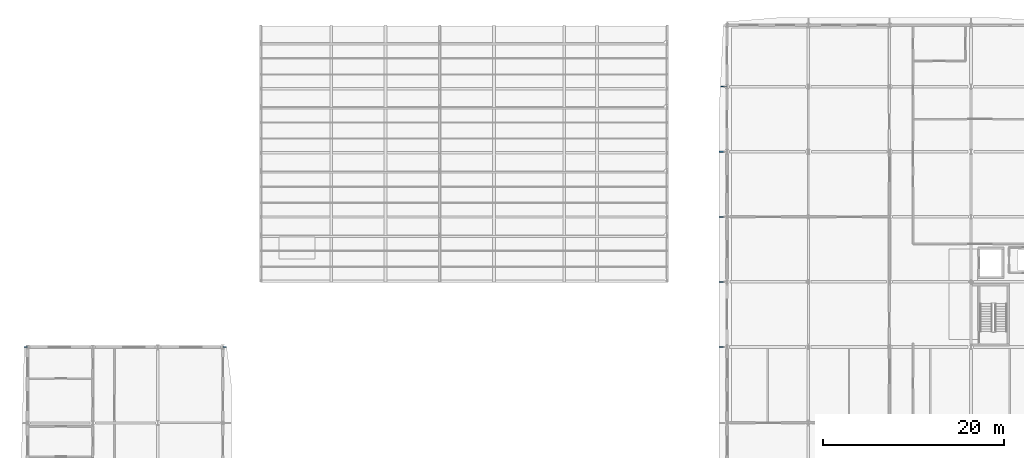
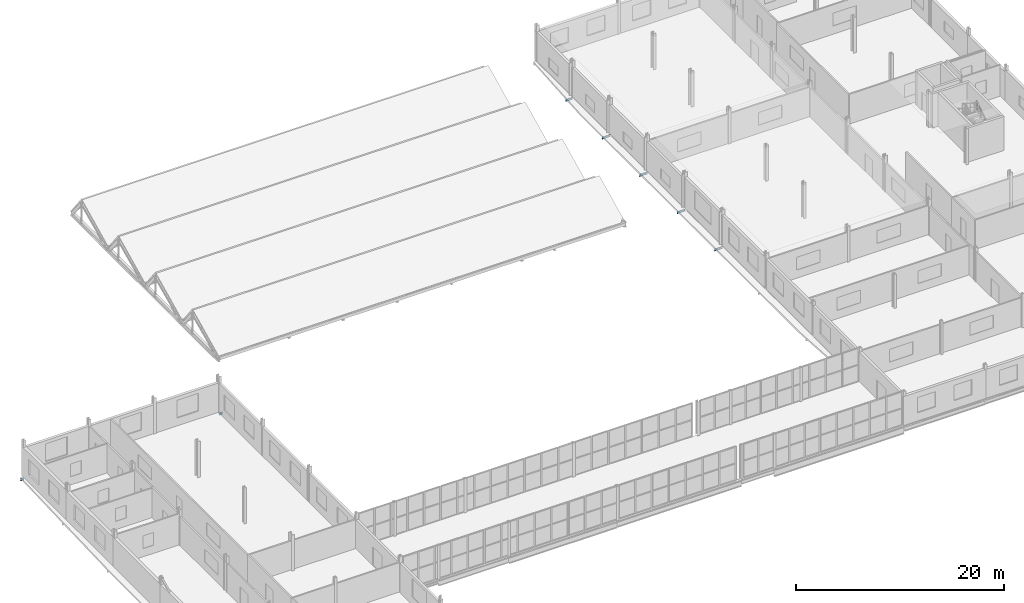
# One storey, part 93 of 138: 7 beams.
"""IFC4 building model written with IfcOpenShell, lengths in metres."""

import ifcopenshell
import ifcopenshell.guid

model = None  # the IFC model being written
_history = None  # IfcOwnerHistory: only IFC2X3 demands one
_inside = {}  # id of a spatial element -> (the spatial element, [elements in it])
_under = {}  # id of a project, library or spatial element -> (it, [spatial elements below it])
_declared = {}  # id of a project -> (the project, [libraries it declares])
_typed = {}  # id of a type object -> (the type object, [elements of that type])
_made_of = {}  # id of a material, layer set ... -> (it, [elements and type objects made of it])


def new_model(schema):
    """Start an empty IFC model of exactly this schema.

    Asked for "IFC4X3", IfcOpenShell would pick the latest addendum, in which some entities
    have other attributes; the version numbers below select the first issue.
    IFC2X3 requires an IfcOwnerHistory on every rooted entity: one is made here for all.
    """
    global model, _history
    if schema == "IFC4X3":
        model = ifcopenshell.file(schema_version=(4, 3, 0, 0))
    else:
        model = ifcopenshell.file(schema=schema)
    _inside.clear()
    _under.clear()
    _declared.clear()
    _typed.clear()
    _made_of.clear()
    _history = None
    if model.schema == "IFC2X3":
        org = make("IfcOrganization", Name="unknown")
        user = make(
            "IfcPersonAndOrganization",
            ThePerson=make("IfcPerson", FamilyName="unknown"),
            TheOrganization=org,
        )
        app = make(
            "IfcApplication",
            ApplicationDeveloper=org,
            Version="unknown",
            ApplicationFullName="unknown",
            ApplicationIdentifier="unknown",
        )
        _history = make(
            "IfcOwnerHistory",
            OwningUser=user,
            OwningApplication=app,
            ChangeAction="ADDED",
            CreationDate=0,
        )
    return model


def make(cls, **values):
    """One entity of the class cls with the attributes given. An attribute that is None is left unset."""
    return model.create_entity(
        cls, **{name: value for name, value in values.items() if value is not None}
    )


def rooted(cls, **values):
    """An entity with a GlobalId (a new one), such as an element, a storey or a relation."""
    return make(cls, GlobalId=ifcopenshell.guid.new(), OwnerHistory=_history, **values)


def si_unit(unit_type, name, prefix=None):
    """IfcSIUnit, for example si_unit("LENGTHUNIT", "METRE", prefix="MILLI")."""
    return make("IfcSIUnit", UnitType=unit_type, Prefix=prefix, Name=name)


def assignment(units):
    """IfcUnitAssignment: the units of a project."""
    return None if units is None else make("IfcUnitAssignment", Units=units)


def point(xyz):
    """IfcCartesianPoint."""
    return None if xyz is None else make("IfcCartesianPoint", Coordinates=xyz)


def direction(xyz):
    """IfcDirection."""
    return None if xyz is None else make("IfcDirection", DirectionRatios=xyz)


def frame(location, z_axis=None, x_axis=None):
    """IfcAxis2Placement3D, a coordinate frame: its origin and axes. An axis left out is left unset."""
    return make(
        "IfcAxis2Placement3D",
        Location=point(location),
        Axis=direction(z_axis),
        RefDirection=direction(x_axis),
    )


def frame_2d(location, x_axis=None):
    """IfcAxis2Placement2D, a coordinate frame in the plane: its origin and x axis."""
    return make(
        "IfcAxis2Placement2D", Location=point(location), RefDirection=direction(x_axis)
    )


def origin():
    """The frame at (0, 0, 0) with its axes left unset."""
    return frame((0.0, 0.0, 0.0))


def origin_2d():
    """The frame at (0, 0) in the plane with its x axis left unset."""
    return frame_2d((0.0, 0.0))


def place(relative_to, where):
    """IfcLocalPlacement: puts the frame where relative to a parent placement (None: the world)."""
    return make(
        "IfcLocalPlacement", PlacementRelTo=relative_to, RelativePlacement=where
    )


def context(
    kind, dimensions, precision=None, world=None, true_north=None, identifier=None
):
    """IfcGeometricRepresentationContext, for example the 3D "Model" context."""
    return make(
        "IfcGeometricRepresentationContext",
        ContextIdentifier=identifier,
        ContextType=kind,
        CoordinateSpaceDimension=dimensions,
        Precision=precision,
        WorldCoordinateSystem=world,
        TrueNorth=true_north,
    )


def subcontext(parent, identifier, kind, view, scale=None):
    """IfcGeometricRepresentationSubContext, for example "Body" below "Model"."""
    return make(
        "IfcGeometricRepresentationSubContext",
        ContextIdentifier=identifier,
        ContextType=kind,
        ParentContext=parent,
        TargetScale=scale,
        TargetView=view,
    )


def project(units=None, contexts=None):
    """IfcProject with its units and contexts."""
    return rooted(
        "IfcProject",
        Name="project",
        RepresentationContexts=contexts,
        UnitsInContext=assignment(units),
    )


def spatial(cls, under=None, at=None, **own):
    """A site, building, storey or space (cls), placed at a placement, below another one or the project."""
    s = rooted(cls, ObjectPlacement=at, **own)
    if under is not None:
        _under.setdefault(under.id(), (under, []))[1].append(s)
    return s


def profile(cls, at=None, kind="AREA", **sizes):
    """A parametric profile (cls). Its sizes go by their IFC names, for example OverallWidth=200.0."""
    return make(cls, ProfileType=kind, Position=at, **sizes)


def i_section(**sizes):
    """IfcIShapeProfileDef."""
    return profile("IfcIShapeProfileDef", **sizes)


def extrude(swept, where, along, depth):
    """IfcExtrudedAreaSolid: the profile swept, set in the frame where, extruded along a direction by depth."""
    return make(
        "IfcExtrudedAreaSolid",
        SweptArea=swept,
        Position=where,
        ExtrudedDirection=direction(along),
        Depth=depth,
    )


def shape(context_of_items, identifier, shape_type, items):
    """IfcShapeRepresentation: the items that make up one representation, for example the "Body"."""
    return make(
        "IfcShapeRepresentation",
        ContextOfItems=context_of_items,
        RepresentationIdentifier=identifier,
        RepresentationType=shape_type,
        Items=items,
    )


def material(Name=None, Category=None):
    """IfcMaterial."""
    return make("IfcMaterial", Name=Name, Category=Category)


def material_profile(
    of_material, cross_section, Name=None, Category=None, Priority=None
):
    """IfcMaterialProfile: a cross section and its material."""
    return make(
        "IfcMaterialProfile",
        Name=Name,
        Material=of_material,
        Profile=cross_section,
        Priority=Priority,
        Category=Category,
    )


def profile_set(profiles, Name=None, composite=None):
    """IfcMaterialProfileSet."""
    return make(
        "IfcMaterialProfileSet",
        Name=Name,
        MaterialProfiles=profiles,
        CompositeProfile=composite,
    )


def made_of(thing, what):
    """Note that an element or type object is made of a material, layer set ...; save() writes the relation."""
    if what is not None:
        _made_of.setdefault(what.id(), (what, []))[1].append(thing)
    return thing


def type_object(cls, material=None, **own):
    """A type object (cls), such as IfcWallType, which elements share."""
    return made_of(rooted(cls, **own), material)


def element(
    cls,
    number,
    at=None,
    inside=None,
    cuts=None,
    type_object=None,
    material=None,
    context=None,
    identifier="Body",
    shape_type=None,
    held_by="IfcProductDefinitionShape",
    body=None,
    shapes=None,
    **own,
):
    """One element of the class cls, such as IfcWall. Its Tag is "e" and its number.

    at: its placement. inside: the storey or other place that contains it. cuts: it is an
    opening in that element (IfcRelVoidsElement). A single representation is given by context,
    identifier, shape_type and body (its items); several are given by shapes. held_by: the class
    of the entity that holds the representations. save() writes the other relations.
    """
    e = rooted(cls, Tag="e%d" % number, ObjectPlacement=at, **own)
    if body is not None:
        shapes = [shape(context, identifier, shape_type, body)]
    if shapes is not None:
        e.Representation = make(held_by, Representations=shapes)
    if inside is not None:
        _inside.setdefault(inside.id(), (inside, []))[1].append(e)
    if cuts is not None:
        rooted(
            "IfcRelVoidsElement", RelatingBuildingElement=cuts, RelatedOpeningElement=e
        )
    if type_object is not None:
        _typed.setdefault(type_object.id(), (type_object, []))[1].append(e)
    return made_of(e, material)


def aggregate(whole, parts):
    """IfcRelAggregates: a whole, such as a stair, and the parts it consists of."""
    return rooted("IfcRelAggregates", RelatingObject=whole, RelatedObjects=parts)


def save(model, path):
    """Write the relations noted so far, then the file.

    IfcRelAggregates (storeys below a building ...), IfcRelContainedInSpatialStructure (elements
    in a storey), IfcRelDefinesByType, IfcRelAssociatesMaterial and IfcRelDeclares: one each for
    every whole, place, type object, material and project.
    """
    for whole, parts in _under.values():
        aggregate(whole, parts)
    for where, things in _inside.values():
        rooted(
            "IfcRelContainedInSpatialStructure",
            RelatedElements=things,
            RelatingStructure=where,
        )
    for kind, things in _typed.values():
        rooted("IfcRelDefinesByType", RelatedObjects=things, RelatingType=kind)
    for what, things in _made_of.values():
        rooted("IfcRelAssociatesMaterial", RelatedObjects=things, RelatingMaterial=what)
    for by, libraries in _declared.values():
        rooted("IfcRelDeclares", RelatingContext=by, RelatedDefinitions=libraries)
    model.write(path)


model = new_model("IFC4")

# Units and contexts
model_context = context("Model", 3, precision=1e-05, world=origin(), true_north=direction((0.0, 1.0)))
body_context = subcontext(model_context, "Body", "Model", "MODEL_VIEW")
ifc_project = project(units=[si_unit("LENGTHUNIT", "METRE"), si_unit("AREAUNIT", "SQUARE_METRE"), si_unit("VOLUMEUNIT", "CUBIC_METRE"), si_unit("PLANEANGLEUNIT", "RADIAN"), si_unit("MASSUNIT", "GRAM", prefix="KILO")], contexts=[model_context])

# Site, building, storey
site_placement = place(None, origin())
site = spatial("IfcSite", under=ifc_project, at=site_placement, CompositionType="ELEMENT")
building_placement = place(site_placement, origin())
building = spatial("IfcBuilding", under=site, at=building_placement, Name="Vinh Khe Railworks Police Headquarters", CompositionType="ELEMENT")
storey_placement = place(building_placement, frame((0.0, 0.0, 9.0)))
storey = spatial("IfcBuildingStorey", under=building, at=storey_placement, Name="L02", CompositionType="ELEMENT", Elevation=9.0)

# Beams
ifc_material = material(Name="Steel S355JR", Category="steel")
ifc_material_profile = material_profile(ifc_material, i_section(OverallWidth=0.1201171875, OverallDepth=0.239990234375, WebThickness=0.006103515625, FlangeThickness=0.009765625, FilletRadius=0.014892578125, at=origin_2d()), Name="IPE 240")
ifc_profile_set = profile_set([ifc_material_profile], Name="Steel S355JR")
beam_type = type_object("IfcBeamType", Name="Monsoon Hood Outrigger IPE 240", PredefinedType="BEAM", material=ifc_profile_set)
beam_1_placement = place(storey_placement, frame((0.21142578125, 130.800048828125, -0.360107421875), z_axis=(1.0, 0.0, 0.0), x_axis=(0.0, 1.0, 0.0)))
element("IfcBeam", 1, at=beam_1_placement, inside=storey, type_object=beam_type, Name="Monsoon Sun-Hood Outrigger L02-032", PredefinedType="BEAM", context=body_context, shape_type="SweptSolid", body=[
    extrude(i_section(OverallWidth=0.1201171875, OverallDepth=0.239990234375, WebThickness=0.006103515625, FlangeThickness=0.009765625, FilletRadius=0.014892578125, at=origin_2d()), origin(), (0.0, 0.0, 1.0), 0.388671875),
])
beam_2_placement = place(storey_placement, frame((22.199951171875, 130.800048828125, -0.360107421875), z_axis=(1.0, 0.0, 0.0), x_axis=(0.0, 1.0, 0.0)))
element("IfcBeam", 2, at=beam_2_placement, inside=storey, type_object=beam_type, Name="Monsoon Sun-Hood Outrigger L02-040", PredefinedType="BEAM", context=body_context, shape_type="SweptSolid", body=[
    extrude(i_section(OverallWidth=0.1201171875, OverallDepth=0.239990234375, WebThickness=0.006103515625, FlangeThickness=0.009765625, FilletRadius=0.014892578125, at=origin_2d()), origin(), (0.0, 0.0, 1.0), 0.423583984375),
])
for number, where, z_axis, x_axis, name in (
    (3, (77.10009765625, 130.800048828125, -0.360107421875), (1.0, 0.0, 0.0), (0.0, 1.0, 0.0), "Monsoon Sun-Hood Outrigger L02-171"),
    (4, (77.10009765625, 138.0, -0.360107421875), (1.0, 0.0, 0.0), (0.0, 1.0, 0.0), "Monsoon Sun-Hood Outrigger L02-172"),
    (5, (77.10009765625, 145.199951171875, -0.360107421875), (1.0, 0.0, 0.0), (0.0, 1.0, 0.0), "Monsoon Sun-Hood Outrigger L02-173"),
    (6, (77.10009765625, 152.39990234375, -0.360107421875), (1.0, 0.0, 0.0), (0.0, 1.0, 0.0), "Monsoon Sun-Hood Outrigger L02-174"),
):
    element("IfcBeam", number, at=place(storey_placement, frame(where, z_axis=z_axis, x_axis=x_axis)), inside=storey, type_object=beam_type, Name=name, PredefinedType="BEAM", context=body_context, shape_type="SweptSolid", body=[
        extrude(i_section(OverallWidth=0.1201171875, OverallDepth=0.239990234375, WebThickness=0.006103515625, FlangeThickness=0.009765625, FilletRadius=0.014892578125, at=origin_2d()), origin(), (0.0, 0.0, 1.0), 0.89990234375),
    ])
beam_3_placement = place(storey_placement, frame((77.252197265625, 159.60009765625, -0.360107421875), z_axis=(1.0, 0.0, 0.0), x_axis=(0.0, 1.0, 0.0)))
element("IfcBeam", 7, at=beam_3_placement, inside=storey, type_object=beam_type, Name="Monsoon Sun-Hood Outrigger L02-175", PredefinedType="BEAM", context=body_context, shape_type="SweptSolid", body=[
    extrude(i_section(OverallWidth=0.1201171875, OverallDepth=0.239990234375, WebThickness=0.006103515625, FlangeThickness=0.009765625, FilletRadius=0.014892578125, at=origin_2d()), origin(), (0.0, 0.0, 1.0), 0.747802734375),
])

save(model, "model.ifc")
